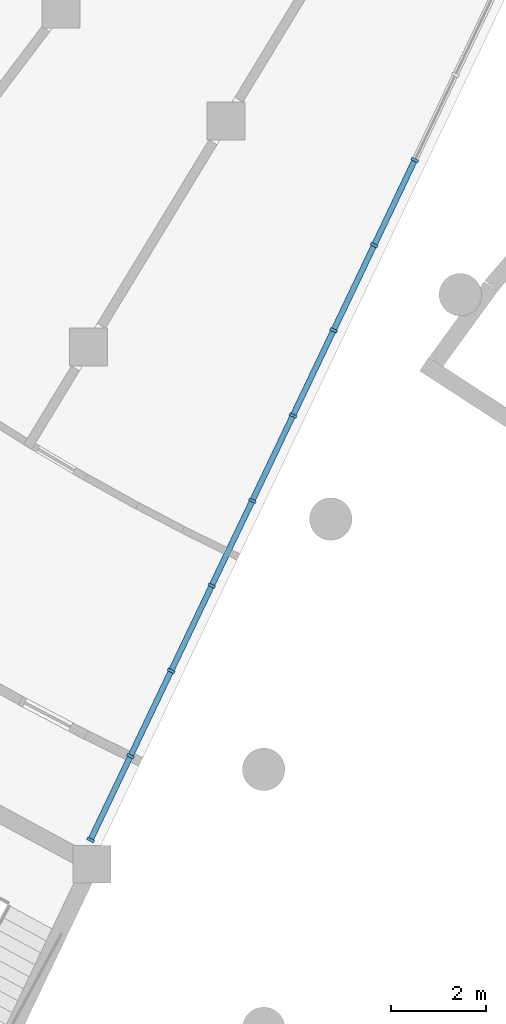
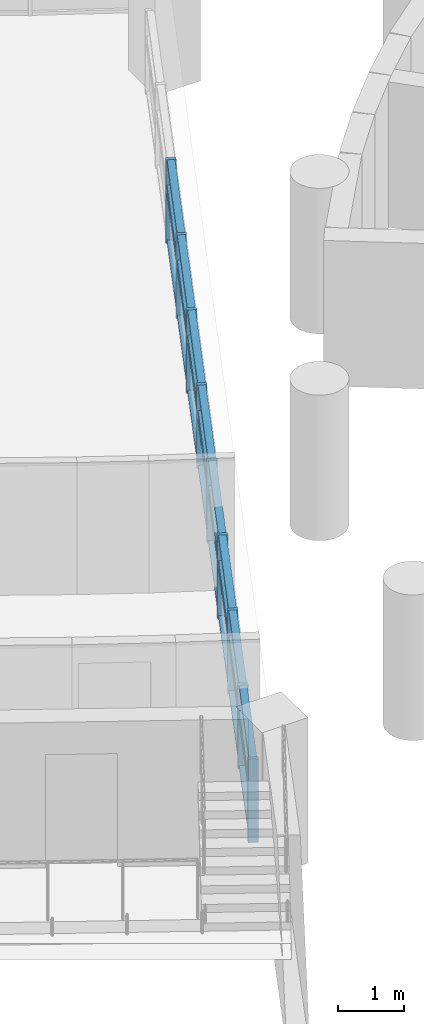
# One storey, part 9 of 89: 41 members, 1 element without a shape of its own.
"""IFC4 building model written with IfcOpenShell, lengths in metres."""

from ifc_helpers import new_model, si_unit, direction, frame, origin, origin_2d, place, context, subcontext, project, spatial, rectangle, extrude, material, material_profile, profile_set, type_object, element, aggregate, save


model = new_model("IFC4")

# Units and contexts
model_context = context("Model", 3, precision=1e-05, world=origin(), true_north=direction((0.0, 1.0)))
body_context = subcontext(model_context, "Body", "Model", "MODEL_VIEW")
ifc_project = project(units=[si_unit("LENGTHUNIT", "METRE"), si_unit("AREAUNIT", "SQUARE_METRE"), si_unit("VOLUMEUNIT", "CUBIC_METRE"), si_unit("PLANEANGLEUNIT", "RADIAN"), si_unit("MASSUNIT", "GRAM", prefix="KILO")], contexts=[model_context])

# Site, building, storey
site_placement = place(None, origin())
site = spatial("IfcSite", under=ifc_project, at=site_placement, CompositionType="ELEMENT")
building_placement = place(site_placement, origin())
building = spatial("IfcBuilding", under=site, at=building_placement, Name="Bougainvillea Quay General Hospital", CompositionType="ELEMENT")
storey_placement = place(building_placement, frame((0.0, 0.0, 9.89990234375)))
storey = spatial("IfcBuildingStorey", under=building, at=storey_placement, Name="L01M", CompositionType="ELEMENT", Elevation=9.89990234375)

# Curtain wall, members
ifc_material_1 = material(Name="Aluminium curtain wall system, powder-coated glazed", Category="aluminium")
curtain_wall_type = type_object("IfcCurtainWallType", Name="Unitised curtain wall CW-1997", PredefinedType="NOTDEFINED", material=ifc_material_1)
curtain_wall_placement = place(storey_placement, origin())
curtain_wall = element("IfcCurtainWall", 1, at=curtain_wall_placement, inside=storey, type_object=curtain_wall_type, Name="CW-AE 02", PredefinedType="NOTDEFINED")
ifc_material_2 = material(Name="Aluminium mullion, powder-coated charcoal", Category="aluminium")
ifc_material_profile_1 = material_profile(ifc_material_2, rectangle(XDim=0.159912109375, YDim=0.06005859375, at=origin_2d()))
ifc_profile_set_1 = profile_set([ifc_material_profile_1], Name="Aluminium mullion, powder-coated charcoal")
member_type_1 = type_object("IfcMemberType", Name="Curtain wall mullion 160x60", PredefinedType="MULLION", material=ifc_profile_set_1)
member_1_placement = place(storey_placement, frame((84.715087890625, 75.246826171875, 0.0), z_axis=(0.0, 0.0, 1.0), x_axis=(-0.902578440897, 0.430525444112, 0.0)))
member_1 = element("IfcMember", 2, at=member_1_placement, type_object=member_type_1, Name="CW-AE mullion 1", PredefinedType="MULLION", context=body_context, shape_type="SweptSolid", body=[
    extrude(rectangle(XDim=0.159912109375, YDim=0.06005859375, at=origin_2d()), origin(), (0.0, 0.0, 1.0), 1.550048828125),
])
member_2_placement = place(storey_placement, frame((85.5615234375, 77.021240234375, 0.0), z_axis=(0.0, 0.0, 1.0), x_axis=(-0.902578440897, 0.430525444112, 0.0)))
member_2 = element("IfcMember", 3, at=member_2_placement, type_object=member_type_1, Name="CW-AE mullion 2", PredefinedType="MULLION", context=body_context, shape_type="SweptSolid", body=[
    extrude(rectangle(XDim=0.159912109375, YDim=0.06005859375, at=origin_2d()), origin(), (0.0, 0.0, 1.0), 1.550048828125),
])
member_3_placement = place(storey_placement, frame((86.4208984375, 78.822998046875, 0.0), z_axis=(0.0, 0.0, 1.0), x_axis=(-0.902578440897, 0.430525444112, 0.0)))
member_3 = element("IfcMember", 4, at=member_3_placement, type_object=member_type_1, Name="CW-AE mullion 3", PredefinedType="MULLION", context=body_context, shape_type="SweptSolid", body=[
    extrude(rectangle(XDim=0.159912109375, YDim=0.06005859375, at=origin_2d()), origin(), (0.0, 0.0, 1.0), 1.550048828125),
])
member_4_placement = place(storey_placement, frame((87.280029296875, 80.62451171875, 0.0), z_axis=(0.0, 0.0, 1.0), x_axis=(-0.902578440897, 0.430525444112, 0.0)))
member_4 = element("IfcMember", 5, at=member_4_placement, type_object=member_type_1, Name="CW-AE mullion 4", PredefinedType="MULLION", context=body_context, shape_type="SweptSolid", body=[
    extrude(rectangle(XDim=0.159912109375, YDim=0.06005859375, at=origin_2d()), origin(), (0.0, 0.0, 1.0), 1.550048828125),
])
member_5_placement = place(storey_placement, frame((88.139404296875, 82.426025390625, 0.0), z_axis=(0.0, 0.0, 1.0), x_axis=(-0.902578440897, 0.430525444112, 0.0)))
member_5 = element("IfcMember", 6, at=member_5_placement, type_object=member_type_1, Name="CW-AE mullion 5", PredefinedType="MULLION", context=body_context, shape_type="SweptSolid", body=[
    extrude(rectangle(XDim=0.159912109375, YDim=0.06005859375, at=origin_2d()), origin(), (0.0, 0.0, 1.0), 1.550048828125),
])
member_6_placement = place(storey_placement, frame((88.998779296875, 84.2275390625, 0.0), z_axis=(0.0, 0.0, 1.0), x_axis=(-0.902578440897, 0.430525444112, 0.0)))
member_6 = element("IfcMember", 7, at=member_6_placement, type_object=member_type_1, Name="CW-AE mullion 6", PredefinedType="MULLION", context=body_context, shape_type="SweptSolid", body=[
    extrude(rectangle(XDim=0.159912109375, YDim=0.06005859375, at=origin_2d()), origin(), (0.0, 0.0, 1.0), 1.550048828125),
])
member_7_placement = place(storey_placement, frame((89.858154296875, 86.029296875, 0.0), z_axis=(0.0, 0.0, 1.0), x_axis=(-0.902578440897, 0.430525444112, 0.0)))
member_7 = element("IfcMember", 8, at=member_7_placement, type_object=member_type_1, Name="CW-AE mullion 7", PredefinedType="MULLION", context=body_context, shape_type="SweptSolid", body=[
    extrude(rectangle(XDim=0.159912109375, YDim=0.06005859375, at=origin_2d()), origin(), (0.0, 0.0, 1.0), 1.550048828125),
])
member_8_placement = place(storey_placement, frame((90.717529296875, 87.830810546875, 0.0), z_axis=(0.0, 0.0, 1.0), x_axis=(-0.902578440897, 0.430525444112, 0.0)))
member_8 = element("IfcMember", 9, at=member_8_placement, type_object=member_type_1, Name="CW-AE mullion 8", PredefinedType="MULLION", context=body_context, shape_type="SweptSolid", body=[
    extrude(rectangle(XDim=0.159912109375, YDim=0.06005859375, at=origin_2d()), origin(), (0.0, 0.0, 1.0), 1.550048828125),
])
member_9_placement = place(storey_placement, frame((91.576904296875, 89.63232421875, 0.0), z_axis=(0.0, 0.0, 1.0), x_axis=(-0.902578440897, 0.430525444112, 0.0)))
member_9 = element("IfcMember", 10, at=member_9_placement, type_object=member_type_1, Name="CW-AE mullion 9", PredefinedType="MULLION", context=body_context, shape_type="SweptSolid", body=[
    extrude(rectangle(XDim=0.159912109375, YDim=0.06005859375, at=origin_2d()), origin(), (0.0, 0.0, 1.0), 1.550048828125),
])
ifc_material_3 = material(Name="Aluminium transom, powder-coated charcoal", Category="aluminium")
ifc_material_profile_2 = material_profile(ifc_material_3, rectangle(XDim=0.1201171875, YDim=0.06005859375, at=origin_2d()))
ifc_profile_set_2 = profile_set([ifc_material_profile_2], Name="Aluminium transom, powder-coated charcoal")
member_type_2 = type_object("IfcMemberType", Name="Curtain wall transom 120x60", PredefinedType="USERDEFINED", material=ifc_profile_set_2)
member_10_placement = place(storey_placement, frame((84.72802734375, 75.27392578125, 0.030029296875), z_axis=(0.430535139878, 0.902573816001, 0.0), x_axis=(-0.902573816001, 0.430535139878, 0.0)))
member_10 = element("IfcMember", 11, at=member_10_placement, type_object=member_type_2, Name="CW-AE transom 1.1", ObjectType="TRANSOM", PredefinedType="USERDEFINED", context=body_context, shape_type="SweptSolid", body=[
    extrude(rectangle(XDim=0.1201171875, YDim=0.06005859375, at=origin_2d()), origin(), (0.0, 0.0, 1.0), 1.906005859375),
])
member_11_placement = place(storey_placement, frame((84.72802734375, 75.27392578125, 0.900146484375), z_axis=(0.430535139878, 0.902573816001, 0.0), x_axis=(-0.902573816001, 0.430535139878, 0.0)))
member_11 = element("IfcMember", 12, at=member_11_placement, type_object=member_type_2, Name="CW-AE transom 1.2", ObjectType="TRANSOM", PredefinedType="USERDEFINED", context=body_context, shape_type="SweptSolid", body=[
    extrude(rectangle(XDim=0.1201171875, YDim=0.06005859375, at=origin_2d()), origin(), (0.0, 0.0, 1.0), 1.906005859375),
])
member_12_placement = place(storey_placement, frame((84.72802734375, 75.27392578125, 1.050048828125), z_axis=(0.430535139878, 0.902573816001, 0.0), x_axis=(-0.902573816001, 0.430535139878, 0.0)))
member_12 = element("IfcMember", 13, at=member_12_placement, type_object=member_type_2, Name="CW-AE transom 1.3", ObjectType="TRANSOM", PredefinedType="USERDEFINED", context=body_context, shape_type="SweptSolid", body=[
    extrude(rectangle(XDim=0.1201171875, YDim=0.06005859375, at=origin_2d()), origin(), (0.0, 0.0, 1.0), 1.906005859375),
])
member_13_placement = place(storey_placement, frame((84.72802734375, 75.27392578125, 1.52001953125), z_axis=(0.430535139878, 0.902573816001, 0.0), x_axis=(-0.902573816001, 0.430535139878, 0.0)))
member_13 = element("IfcMember", 14, at=member_13_placement, type_object=member_type_2, Name="CW-AE transom 1.4", ObjectType="TRANSOM", PredefinedType="USERDEFINED", context=body_context, shape_type="SweptSolid", body=[
    extrude(rectangle(XDim=0.1201171875, YDim=0.06005859375, at=origin_2d()), origin(), (0.0, 0.0, 1.0), 1.906005859375),
])
member_14_placement = place(storey_placement, frame((85.574462890625, 77.04833984375, 0.030029296875), z_axis=(0.430491490236, 0.902594635944, 0.0), x_axis=(-0.902594635944, 0.430491490236, 0.0)))
member_14 = element("IfcMember", 15, at=member_14_placement, type_object=member_type_2, Name="CW-AE transom 2.1", ObjectType="TRANSOM", PredefinedType="USERDEFINED", context=body_context, shape_type="SweptSolid", body=[
    extrude(rectangle(XDim=0.1201171875, YDim=0.06005859375, at=origin_2d()), origin(), (0.0, 0.0, 1.0), 1.93603515625),
])
member_15_placement = place(storey_placement, frame((85.574462890625, 77.04833984375, 0.900146484375), z_axis=(0.430491490236, 0.902594635944, 0.0), x_axis=(-0.902594635944, 0.430491490236, 0.0)))
member_15 = element("IfcMember", 16, at=member_15_placement, type_object=member_type_2, Name="CW-AE transom 2.2", ObjectType="TRANSOM", PredefinedType="USERDEFINED", context=body_context, shape_type="SweptSolid", body=[
    extrude(rectangle(XDim=0.1201171875, YDim=0.06005859375, at=origin_2d()), origin(), (0.0, 0.0, 1.0), 1.93603515625),
])
member_16_placement = place(storey_placement, frame((85.574462890625, 77.04833984375, 1.050048828125), z_axis=(0.430491490236, 0.902594635944, 0.0), x_axis=(-0.902594635944, 0.430491490236, 0.0)))
member_16 = element("IfcMember", 17, at=member_16_placement, type_object=member_type_2, Name="CW-AE transom 2.3", ObjectType="TRANSOM", PredefinedType="USERDEFINED", context=body_context, shape_type="SweptSolid", body=[
    extrude(rectangle(XDim=0.1201171875, YDim=0.06005859375, at=origin_2d()), origin(), (0.0, 0.0, 1.0), 1.93603515625),
])
member_17_placement = place(storey_placement, frame((85.574462890625, 77.04833984375, 1.52001953125), z_axis=(0.430491490236, 0.902594635944, 0.0), x_axis=(-0.902594635944, 0.430491490236, 0.0)))
member_17 = element("IfcMember", 18, at=member_17_placement, type_object=member_type_2, Name="CW-AE transom 2.4", ObjectType="TRANSOM", PredefinedType="USERDEFINED", context=body_context, shape_type="SweptSolid", body=[
    extrude(rectangle(XDim=0.1201171875, YDim=0.06005859375, at=origin_2d()), origin(), (0.0, 0.0, 1.0), 1.93603515625),
])
member_18_placement = place(storey_placement, frame((86.43359375, 78.85009765625, 0.030029296875), z_axis=(0.43064321639, 0.902522254671, 0.0), x_axis=(-0.902522254671, 0.43064321639, 0.0)))
member_18 = element("IfcMember", 19, at=member_18_placement, type_object=member_type_2, Name="CW-AE transom 3.1", ObjectType="TRANSOM", PredefinedType="USERDEFINED", context=body_context, shape_type="SweptSolid", body=[
    extrude(rectangle(XDim=0.1201171875, YDim=0.06005859375, at=origin_2d()), origin(), (0.0, 0.0, 1.0), 1.93603515625),
])
member_19_placement = place(storey_placement, frame((86.43359375, 78.85009765625, 0.900146484375), z_axis=(0.43064321639, 0.902522254671, 0.0), x_axis=(-0.902522254671, 0.43064321639, 0.0)))
member_19 = element("IfcMember", 20, at=member_19_placement, type_object=member_type_2, Name="CW-AE transom 3.2", ObjectType="TRANSOM", PredefinedType="USERDEFINED", context=body_context, shape_type="SweptSolid", body=[
    extrude(rectangle(XDim=0.1201171875, YDim=0.06005859375, at=origin_2d()), origin(), (0.0, 0.0, 1.0), 1.93603515625),
])
member_20_placement = place(storey_placement, frame((86.43359375, 78.85009765625, 1.050048828125), z_axis=(0.43064321639, 0.902522254671, 0.0), x_axis=(-0.902522254671, 0.43064321639, 0.0)))
member_20 = element("IfcMember", 21, at=member_20_placement, type_object=member_type_2, Name="CW-AE transom 3.3", ObjectType="TRANSOM", PredefinedType="USERDEFINED", context=body_context, shape_type="SweptSolid", body=[
    extrude(rectangle(XDim=0.1201171875, YDim=0.06005859375, at=origin_2d()), origin(), (0.0, 0.0, 1.0), 1.93603515625),
])
member_21_placement = place(storey_placement, frame((86.43359375, 78.85009765625, 1.52001953125), z_axis=(0.43064321639, 0.902522254671, 0.0), x_axis=(-0.902522254671, 0.43064321639, 0.0)))
member_21 = element("IfcMember", 22, at=member_21_placement, type_object=member_type_2, Name="CW-AE transom 3.4", ObjectType="TRANSOM", PredefinedType="USERDEFINED", context=body_context, shape_type="SweptSolid", body=[
    extrude(rectangle(XDim=0.1201171875, YDim=0.06005859375, at=origin_2d()), origin(), (0.0, 0.0, 1.0), 1.93603515625),
])
member_22_placement = place(storey_placement, frame((87.29296875, 80.651611328125, 0.030029296875), z_axis=(0.430540490925, 0.902571263488, 0.0), x_axis=(-0.902571263488, 0.430540490925, 0.0)))
member_22 = element("IfcMember", 23, at=member_22_placement, type_object=member_type_2, Name="CW-AE transom 4.1", ObjectType="TRANSOM", PredefinedType="USERDEFINED", context=body_context, shape_type="SweptSolid", body=[
    extrude(rectangle(XDim=0.1201171875, YDim=0.06005859375, at=origin_2d()), origin(), (0.0, 0.0, 1.0), 1.93603515625),
])
member_23_placement = place(storey_placement, frame((87.29296875, 80.651611328125, 0.900146484375), z_axis=(0.430540490925, 0.902571263488, 0.0), x_axis=(-0.902571263488, 0.430540490925, 0.0)))
member_23 = element("IfcMember", 24, at=member_23_placement, type_object=member_type_2, Name="CW-AE transom 4.2", ObjectType="TRANSOM", PredefinedType="USERDEFINED", context=body_context, shape_type="SweptSolid", body=[
    extrude(rectangle(XDim=0.1201171875, YDim=0.06005859375, at=origin_2d()), origin(), (0.0, 0.0, 1.0), 1.93603515625),
])
member_24_placement = place(storey_placement, frame((87.29296875, 80.651611328125, 1.050048828125), z_axis=(0.430540490925, 0.902571263488, 0.0), x_axis=(-0.902571263488, 0.430540490925, 0.0)))
member_24 = element("IfcMember", 25, at=member_24_placement, type_object=member_type_2, Name="CW-AE transom 4.3", ObjectType="TRANSOM", PredefinedType="USERDEFINED", context=body_context, shape_type="SweptSolid", body=[
    extrude(rectangle(XDim=0.1201171875, YDim=0.06005859375, at=origin_2d()), origin(), (0.0, 0.0, 1.0), 1.93603515625),
])
member_25_placement = place(storey_placement, frame((87.29296875, 80.651611328125, 1.52001953125), z_axis=(0.430540490925, 0.902571263488, 0.0), x_axis=(-0.902571263488, 0.430540490925, 0.0)))
member_25 = element("IfcMember", 26, at=member_25_placement, type_object=member_type_2, Name="CW-AE transom 4.4", ObjectType="TRANSOM", PredefinedType="USERDEFINED", context=body_context, shape_type="SweptSolid", body=[
    extrude(rectangle(XDim=0.1201171875, YDim=0.06005859375, at=origin_2d()), origin(), (0.0, 0.0, 1.0), 1.93603515625),
])
member_26_placement = place(storey_placement, frame((88.15234375, 82.453125, 0.030029296875), z_axis=(0.430491490236, 0.902594635944, 0.0), x_axis=(-0.902594635944, 0.430491490236, 0.0)))
member_26 = element("IfcMember", 27, at=member_26_placement, type_object=member_type_2, Name="CW-AE transom 5.1", ObjectType="TRANSOM", PredefinedType="USERDEFINED", context=body_context, shape_type="SweptSolid", body=[
    extrude(rectangle(XDim=0.1201171875, YDim=0.06005859375, at=origin_2d()), origin(), (0.0, 0.0, 1.0), 1.93603515625),
])
member_27_placement = place(storey_placement, frame((88.15234375, 82.453125, 0.900146484375), z_axis=(0.430491490236, 0.902594635944, 0.0), x_axis=(-0.902594635944, 0.430491490236, 0.0)))
member_27 = element("IfcMember", 28, at=member_27_placement, type_object=member_type_2, Name="CW-AE transom 5.2", ObjectType="TRANSOM", PredefinedType="USERDEFINED", context=body_context, shape_type="SweptSolid", body=[
    extrude(rectangle(XDim=0.1201171875, YDim=0.06005859375, at=origin_2d()), origin(), (0.0, 0.0, 1.0), 1.93603515625),
])
member_28_placement = place(storey_placement, frame((88.15234375, 82.453125, 1.050048828125), z_axis=(0.430491490236, 0.902594635944, 0.0), x_axis=(-0.902594635944, 0.430491490236, 0.0)))
member_28 = element("IfcMember", 29, at=member_28_placement, type_object=member_type_2, Name="CW-AE transom 5.3", ObjectType="TRANSOM", PredefinedType="USERDEFINED", context=body_context, shape_type="SweptSolid", body=[
    extrude(rectangle(XDim=0.1201171875, YDim=0.06005859375, at=origin_2d()), origin(), (0.0, 0.0, 1.0), 1.93603515625),
])
member_29_placement = place(storey_placement, frame((88.15234375, 82.453125, 1.52001953125), z_axis=(0.430491490236, 0.902594635944, 0.0), x_axis=(-0.902594635944, 0.430491490236, 0.0)))
member_29 = element("IfcMember", 30, at=member_29_placement, type_object=member_type_2, Name="CW-AE transom 5.4", ObjectType="TRANSOM", PredefinedType="USERDEFINED", context=body_context, shape_type="SweptSolid", body=[
    extrude(rectangle(XDim=0.1201171875, YDim=0.06005859375, at=origin_2d()), origin(), (0.0, 0.0, 1.0), 1.93603515625),
])
member_30_placement = place(storey_placement, frame((89.01171875, 84.254638671875, 0.030029296875), z_axis=(0.430491490236, 0.902594635944, 0.0), x_axis=(-0.902594635944, 0.430491490236, 0.0)))
member_30 = element("IfcMember", 31, at=member_30_placement, type_object=member_type_2, Name="CW-AE transom 6.1", ObjectType="TRANSOM", PredefinedType="USERDEFINED", context=body_context, shape_type="SweptSolid", body=[
    extrude(rectangle(XDim=0.1201171875, YDim=0.06005859375, at=origin_2d()), origin(), (0.0, 0.0, 1.0), 1.93603515625),
])
member_31_placement = place(storey_placement, frame((89.01171875, 84.254638671875, 0.900146484375), z_axis=(0.430491490236, 0.902594635944, 0.0), x_axis=(-0.902594635944, 0.430491490236, 0.0)))
member_31 = element("IfcMember", 32, at=member_31_placement, type_object=member_type_2, Name="CW-AE transom 6.2", ObjectType="TRANSOM", PredefinedType="USERDEFINED", context=body_context, shape_type="SweptSolid", body=[
    extrude(rectangle(XDim=0.1201171875, YDim=0.06005859375, at=origin_2d()), origin(), (0.0, 0.0, 1.0), 1.93603515625),
])
member_32_placement = place(storey_placement, frame((89.01171875, 84.254638671875, 1.050048828125), z_axis=(0.430491490236, 0.902594635944, 0.0), x_axis=(-0.902594635944, 0.430491490236, 0.0)))
member_32 = element("IfcMember", 33, at=member_32_placement, type_object=member_type_2, Name="CW-AE transom 6.3", ObjectType="TRANSOM", PredefinedType="USERDEFINED", context=body_context, shape_type="SweptSolid", body=[
    extrude(rectangle(XDim=0.1201171875, YDim=0.06005859375, at=origin_2d()), origin(), (0.0, 0.0, 1.0), 1.93603515625),
])
member_33_placement = place(storey_placement, frame((89.01171875, 84.254638671875, 1.52001953125), z_axis=(0.430491490236, 0.902594635944, 0.0), x_axis=(-0.902594635944, 0.430491490236, 0.0)))
member_33 = element("IfcMember", 34, at=member_33_placement, type_object=member_type_2, Name="CW-AE transom 6.4", ObjectType="TRANSOM", PredefinedType="USERDEFINED", context=body_context, shape_type="SweptSolid", body=[
    extrude(rectangle(XDim=0.1201171875, YDim=0.06005859375, at=origin_2d()), origin(), (0.0, 0.0, 1.0), 1.93603515625),
])
member_34_placement = place(storey_placement, frame((89.87109375, 86.056396484375, 0.030029296875), z_axis=(0.430540490925, 0.902571263488, 0.0), x_axis=(-0.902571263488, 0.430540490925, 0.0)))
member_34 = element("IfcMember", 35, at=member_34_placement, type_object=member_type_2, Name="CW-AE transom 7.1", ObjectType="TRANSOM", PredefinedType="USERDEFINED", context=body_context, shape_type="SweptSolid", body=[
    extrude(rectangle(XDim=0.1201171875, YDim=0.06005859375, at=origin_2d()), origin(), (0.0, 0.0, 1.0), 1.93603515625),
])
member_35_placement = place(storey_placement, frame((89.87109375, 86.056396484375, 0.900146484375), z_axis=(0.430540490925, 0.902571263488, 0.0), x_axis=(-0.902571263488, 0.430540490925, 0.0)))
member_35 = element("IfcMember", 36, at=member_35_placement, type_object=member_type_2, Name="CW-AE transom 7.2", ObjectType="TRANSOM", PredefinedType="USERDEFINED", context=body_context, shape_type="SweptSolid", body=[
    extrude(rectangle(XDim=0.1201171875, YDim=0.06005859375, at=origin_2d()), origin(), (0.0, 0.0, 1.0), 1.93603515625),
])
member_36_placement = place(storey_placement, frame((89.87109375, 86.056396484375, 1.050048828125), z_axis=(0.430540490925, 0.902571263488, 0.0), x_axis=(-0.902571263488, 0.430540490925, 0.0)))
member_36 = element("IfcMember", 37, at=member_36_placement, type_object=member_type_2, Name="CW-AE transom 7.3", ObjectType="TRANSOM", PredefinedType="USERDEFINED", context=body_context, shape_type="SweptSolid", body=[
    extrude(rectangle(XDim=0.1201171875, YDim=0.06005859375, at=origin_2d()), origin(), (0.0, 0.0, 1.0), 1.93603515625),
])
member_37_placement = place(storey_placement, frame((89.87109375, 86.056396484375, 1.52001953125), z_axis=(0.430540490925, 0.902571263488, 0.0), x_axis=(-0.902571263488, 0.430540490925, 0.0)))
member_37 = element("IfcMember", 38, at=member_37_placement, type_object=member_type_2, Name="CW-AE transom 7.4", ObjectType="TRANSOM", PredefinedType="USERDEFINED", context=body_context, shape_type="SweptSolid", body=[
    extrude(rectangle(XDim=0.1201171875, YDim=0.06005859375, at=origin_2d()), origin(), (0.0, 0.0, 1.0), 1.93603515625),
])
member_38_placement = place(storey_placement, frame((90.73046875, 87.85791015625, 0.030029296875), z_axis=(0.430540490925, 0.902571263488, 0.0), x_axis=(-0.902571263488, 0.430540490925, 0.0)))
member_38 = element("IfcMember", 39, at=member_38_placement, type_object=member_type_2, Name="CW-AE transom 8.1", ObjectType="TRANSOM", PredefinedType="USERDEFINED", context=body_context, shape_type="SweptSolid", body=[
    extrude(rectangle(XDim=0.1201171875, YDim=0.06005859375, at=origin_2d()), origin(), (0.0, 0.0, 1.0), 1.93603515625),
])
member_39_placement = place(storey_placement, frame((90.73046875, 87.85791015625, 0.900146484375), z_axis=(0.430540490925, 0.902571263488, 0.0), x_axis=(-0.902571263488, 0.430540490925, 0.0)))
member_39 = element("IfcMember", 40, at=member_39_placement, type_object=member_type_2, Name="CW-AE transom 8.2", ObjectType="TRANSOM", PredefinedType="USERDEFINED", context=body_context, shape_type="SweptSolid", body=[
    extrude(rectangle(XDim=0.1201171875, YDim=0.06005859375, at=origin_2d()), origin(), (0.0, 0.0, 1.0), 1.93603515625),
])
member_40_placement = place(storey_placement, frame((90.73046875, 87.85791015625, 1.050048828125), z_axis=(0.430540490925, 0.902571263488, 0.0), x_axis=(-0.902571263488, 0.430540490925, 0.0)))
member_40 = element("IfcMember", 41, at=member_40_placement, type_object=member_type_2, Name="CW-AE transom 8.3", ObjectType="TRANSOM", PredefinedType="USERDEFINED", context=body_context, shape_type="SweptSolid", body=[
    extrude(rectangle(XDim=0.1201171875, YDim=0.06005859375, at=origin_2d()), origin(), (0.0, 0.0, 1.0), 1.93603515625),
])
member_41_placement = place(storey_placement, frame((90.73046875, 87.85791015625, 1.52001953125), z_axis=(0.430540490925, 0.902571263488, 0.0), x_axis=(-0.902571263488, 0.430540490925, 0.0)))
member_41 = element("IfcMember", 42, at=member_41_placement, type_object=member_type_2, Name="CW-AE transom 8.4", ObjectType="TRANSOM", PredefinedType="USERDEFINED", context=body_context, shape_type="SweptSolid", body=[
    extrude(rectangle(XDim=0.1201171875, YDim=0.06005859375, at=origin_2d()), origin(), (0.0, 0.0, 1.0), 1.93603515625),
])
aggregate(curtain_wall, [member_1, member_2, member_3, member_4, member_5, member_6, member_7, member_8, member_9, member_10, member_11, member_12, member_13, member_14, member_15, member_16, member_17, member_18, member_19, member_20, member_21, member_22, member_23, member_24, member_25, member_26, member_27, member_28, member_29, member_30, member_31, member_32, member_33, member_34, member_35, member_36, member_37, member_38, member_39, member_40, member_41])

save(model, "model.ifc")
